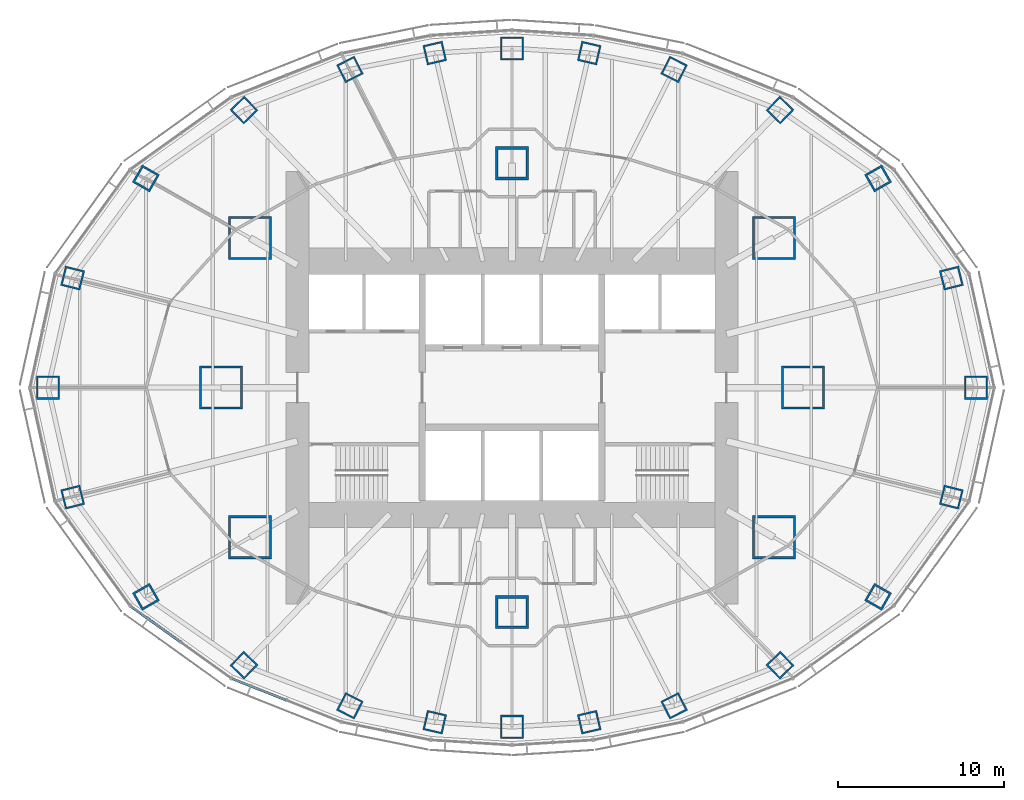
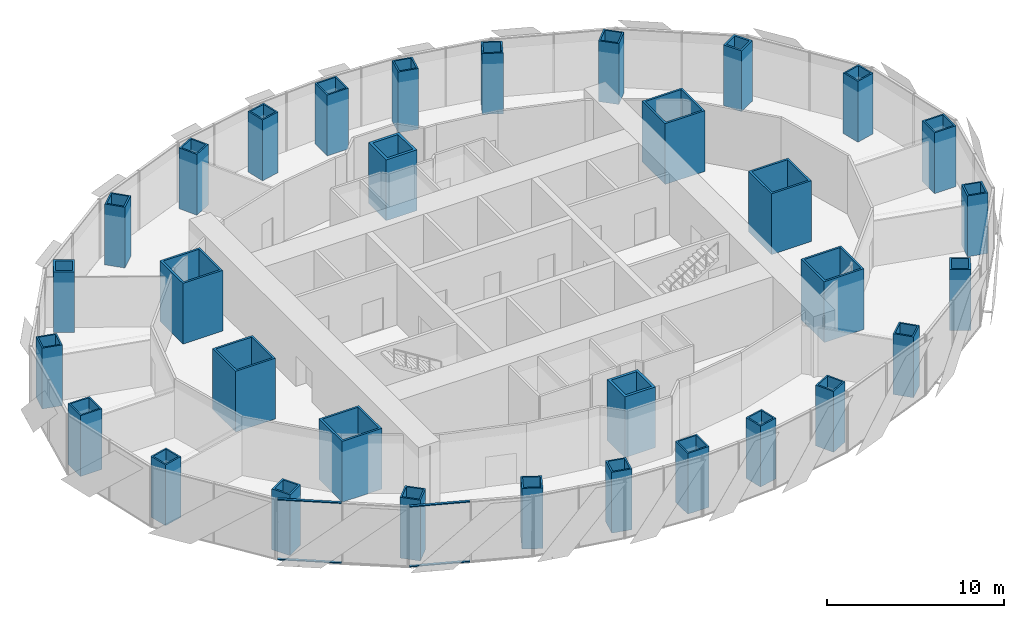
# One storey, part 1 of 17: 32 columns, 4 members, 2 elements without a shape of their own.
"""IFC4 building model written with IfcOpenShell, lengths in metres."""

from ifc_helpers import new_model, si_unit, direction, frame, origin, origin_2d, place, context, subcontext, project, spatial, rectangle, hollow_rectangle, extrude, material, material_profile, profile_set, type_object, element, aggregate, save


model = new_model("IFC4")

# Units and contexts
model_context = context("Model", 3, precision=1e-05, world=origin(), true_north=direction((0.0, 1.0)))
body_context = subcontext(model_context, "Body", "Model", "MODEL_VIEW")
ifc_project = project(units=[si_unit("LENGTHUNIT", "METRE"), si_unit("AREAUNIT", "SQUARE_METRE"), si_unit("VOLUMEUNIT", "CUBIC_METRE"), si_unit("PLANEANGLEUNIT", "RADIAN"), si_unit("MASSUNIT", "GRAM", prefix="KILO")], contexts=[model_context])

# Site, building, storey
site_placement = place(None, origin())
site = spatial("IfcSite", under=ifc_project, at=site_placement, CompositionType="ELEMENT")
building_placement = place(site_placement, origin())
building = spatial("IfcBuilding", under=site, at=building_placement, Name="Lantaw Convention Tower", CompositionType="ELEMENT")
storey_placement = place(building_placement, frame((0.0, 0.0, 125.800048828125)))
storey = spatial("IfcBuildingStorey", under=building, at=storey_placement, Name="L29", CompositionType="ELEMENT", Elevation=125.800048828125)

# Columns
ifc_material_1 = material(Name="Steel EN 10025-3 S460N", Category="steel")
ifc_material_profile_1 = material_profile(ifc_material_1, hollow_rectangle(XDim=2.0, YDim=2.0, WallThickness=0.169921875, at=origin_2d()), Name="BOX2000X170")
ifc_material_2 = material(Name="Concrete C60/75", Category="concrete")
ifc_material_profile_2 = material_profile(ifc_material_2, rectangle(XDim=1.659912109375, YDim=1.659912109375, at=origin_2d()), Name="Concrete fill of BOX2000X170")
ifc_profile_set_1 = profile_set([ifc_material_profile_1, ifc_material_profile_2], Name="Steel EN 10025-3 S460N")
column_type_1 = type_object("IfcColumnType", Name="Column MC BOX2000X170", PredefinedType="COLUMN", material=ifc_profile_set_1)
for number, where, z_axis, x_axis, name in (
    (1, (0.0, 13.5, 0.0), (0.0, 0.0, 1.0), (1.0, 0.0, 0.0), "Mega column M3"),
    (2, (0.0, -13.5, 0.0), (0.0, 0.0, 1.0), (1.0, 0.0, 0.0), "Mega column M7"),
):
    element("IfcColumn", number, at=place(storey_placement, frame(where, z_axis=z_axis, x_axis=x_axis)), inside=storey, type_object=column_type_1, Name=name, PredefinedType="COLUMN", context=body_context, shape_type="SweptSolid", body=[
        extrude(hollow_rectangle(XDim=2.0, YDim=2.0, WallThickness=0.169921875, at=origin_2d()), origin(), (0.0, 0.0, 1.0), 4.199951171875),
    ])
ifc_material_profile_3 = material_profile(ifc_material_1, hollow_rectangle(XDim=2.60009765625, YDim=2.60009765625, WallThickness=0.1298828125, at=origin_2d()), Name="BOX2600X130")
ifc_material_profile_4 = material_profile(ifc_material_2, rectangle(XDim=2.340087890625, YDim=2.340087890625, at=origin_2d()), Name="Concrete fill of BOX2600X130")
ifc_profile_set_2 = profile_set([ifc_material_profile_3, ifc_material_profile_4], Name="Steel EN 10025-3 S460N")
column_type_2 = type_object("IfcColumnType", Name="Column MC BOX2600X130", PredefinedType="COLUMN", material=ifc_profile_set_2)
for number, where, z_axis, x_axis, name in (
    (3, (17.5, 0.0, 0.0), (0.0, 0.0, 1.0), (1.0, 0.0, 0.0), "Mega column M1"),
    (4, (15.75, 9.0, 0.0), (0.0, 0.0, 1.0), (1.0, 0.0, 0.0), "Mega column M2"),
    (5, (-15.75, 9.0, 0.0), (0.0, 0.0, 1.0), (1.0, 0.0, 0.0), "Mega column M4"),
    (6, (-17.5, 0.0, 0.0), (0.0, 0.0, 1.0), (1.0, 0.0, 0.0), "Mega column M5"),
    (7, (-15.75, -9.0, 0.0), (0.0, 0.0, 1.0), (1.0, 0.0, 0.0), "Mega column M6"),
    (8, (15.75, -9.0, 0.0), (0.0, 0.0, 1.0), (1.0, 0.0, 0.0), "Mega column M8"),
):
    element("IfcColumn", number, at=place(storey_placement, frame(where, z_axis=z_axis, x_axis=x_axis)), inside=storey, type_object=column_type_2, Name=name, PredefinedType="COLUMN", context=body_context, shape_type="SweptSolid", body=[
        extrude(hollow_rectangle(XDim=2.60009765625, YDim=2.60009765625, WallThickness=0.1298828125, at=origin_2d()), origin(), (0.0, 0.0, 1.0), 4.199951171875),
    ])
ifc_material_profile_5 = material_profile(ifc_material_1, hollow_rectangle(XDim=1.199951171875, YDim=1.199951171875, WallThickness=0.10009765625, at=origin_2d()), Name="BOX1200X100")
ifc_material_profile_6 = material_profile(ifc_material_2, rectangle(XDim=1.0, YDim=1.0, at=origin_2d()), Name="Concrete fill of BOX1200X100")
ifc_profile_set_3 = profile_set([ifc_material_profile_5, ifc_material_profile_6], Name="Steel EN 10025-3 S460N")
column_type_3 = type_object("IfcColumnType", Name="Column PC BOX1200X100", PredefinedType="COLUMN", material=ifc_profile_set_3)
for number, where, z_axis, x_axis, name in (
    (9, (26.419921875, 6.587158203125, 0.0), (0.0, 0.0, 1.0), (0.970295726276, 0.2419218956, 0.0), "Perimeter column P2"),
    (10, (16.11767578125, 16.690185546875, 0.0), (0.0, 0.0, 1.0), (0.694658370459, 0.719339800339, 0.0), "Perimeter column P4"),
    (11, (9.74853515625, 19.1328125, 0.0), (0.0, 0.0, 1.0), (0.45399049974, 0.891006524188, 0.0), "Perimeter column P5"),
    (12, (4.64501953125, 20.1201171875, 0.0), (0.0, 0.0, 1.0), (0.224951054344, 0.974370064785, 0.0), "Perimeter column P6"),
    (13, (-4.64501953125, 20.1201171875, 0.0), (0.0, 0.0, 1.0), (0.974370064785, 0.224951054344, 0.0), "Perimeter column P8"),
    (14, (-9.74853515625, 19.1328125, 0.0), (0.0, 0.0, 1.0), (0.891006524188, 0.45399049974, 0.0), "Perimeter column P9"),
    (15, (-16.11767578125, 16.690185546875, 0.0), (0.0, 0.0, 1.0), (0.719339800339, 0.694658370459, 0.0), "Perimeter column P10"),
    (16, (-26.419921875, 6.587158203125, 0.0), (0.0, 0.0, 1.0), (0.2419218956, 0.970295726276, 0.0), "Perimeter column P12"),
    (17, (-26.419921875, -6.587158203125, 0.0), (0.0, 0.0, 1.0), (0.970295726276, 0.2419218956, 0.0), "Perimeter column P14"),
    (18, (-16.11767578125, -16.690185546875, 0.0), (0.0, 0.0, 1.0), (0.694658370459, 0.719339800339, 0.0), "Perimeter column P16"),
    (19, (-9.74853515625, -19.1328125, 0.0), (0.0, 0.0, 1.0), (0.45399049974, 0.891006524188, 0.0), "Perimeter column P17"),
    (20, (-4.64501953125, -20.1201171875, 0.0), (0.0, 0.0, 1.0), (0.224951054344, 0.974370064785, 0.0), "Perimeter column P18"),
    (21, (4.64501953125, -20.1201171875, 0.0), (0.0, 0.0, 1.0), (0.974370064785, 0.224951054344, 0.0), "Perimeter column P20"),
    (22, (9.74853515625, -19.1328125, 0.0), (0.0, 0.0, 1.0), (0.891006524188, 0.45399049974, 0.0), "Perimeter column P21"),
    (23, (16.11767578125, -16.690185546875, 0.0), (0.0, 0.0, 1.0), (0.719339800339, 0.694658370459, 0.0), "Perimeter column P22"),
    (24, (26.419921875, -6.587158203125, 0.0), (0.0, 0.0, 1.0), (0.2419218956, 0.970295726276, 0.0), "Perimeter column P24"),
):
    element("IfcColumn", number, at=place(storey_placement, frame(where, z_axis=z_axis, x_axis=x_axis)), inside=storey, type_object=column_type_3, Name=name, PredefinedType="COLUMN", context=body_context, shape_type="SweptSolid", body=[
        extrude(hollow_rectangle(XDim=1.199951171875, YDim=1.199951171875, WallThickness=0.10009765625, at=origin_2d()), origin(), (0.0, 0.0, 1.0), 4.199951171875),
    ])
ifc_material_profile_7 = material_profile(ifc_material_1, hollow_rectangle(XDim=1.199951171875, YDim=1.199951171875, WallThickness=0.1201171875, at=origin_2d()), Name="BOX1200X120")
ifc_material_profile_8 = material_profile(ifc_material_2, rectangle(XDim=0.9599609375, YDim=0.9599609375, at=origin_2d()), Name="Concrete fill of BOX1200X120")
ifc_profile_set_4 = profile_set([ifc_material_profile_7, ifc_material_profile_8], Name="Steel EN 10025-3 S460N")
column_type_4 = type_object("IfcColumnType", Name="Column PC BOX1200X120", PredefinedType="COLUMN", material=ifc_profile_set_4)
for number, where, z_axis, x_axis, name in (
    (25, (22.013916015625, 12.579345703125, 0.0), (0.0, 0.0, 1.0), (0.86824298017, 0.496139221777, 0.0), "Perimeter column P3"),
    (26, (-22.013916015625, 12.579345703125, 0.0), (0.0, 0.0, 1.0), (0.496139221777, 0.86824298017, 0.0), "Perimeter column P11"),
    (27, (-22.013916015625, -12.579345703125, 0.0), (0.0, 0.0, 1.0), (0.86824298017, 0.496139221777, 0.0), "Perimeter column P15"),
    (28, (22.013916015625, -12.579345703125, 0.0), (0.0, 0.0, 1.0), (0.496139221777, 0.86824298017, 0.0), "Perimeter column P23"),
):
    element("IfcColumn", number, at=place(storey_placement, frame(where, z_axis=z_axis, x_axis=x_axis)), inside=storey, type_object=column_type_4, Name=name, PredefinedType="COLUMN", context=body_context, shape_type="SweptSolid", body=[
        extrude(hollow_rectangle(XDim=1.199951171875, YDim=1.199951171875, WallThickness=0.1201171875, at=origin_2d()), origin(), (0.0, 0.0, 1.0), 4.199951171875),
    ])
ifc_material_profile_9 = material_profile(ifc_material_1, hollow_rectangle(XDim=1.39990234375, YDim=1.39990234375, WallThickness=0.10009765625, at=origin_2d()), Name="BOX1400X100")
ifc_material_profile_10 = material_profile(ifc_material_2, rectangle(XDim=1.199951171875, YDim=1.199951171875, at=origin_2d()), Name="Concrete fill of BOX1400X100")
ifc_profile_set_5 = profile_set([ifc_material_profile_9, ifc_material_profile_10], Name="Steel EN 10025-3 S460N")
column_type_5 = type_object("IfcColumnType", Name="Column PC BOX1400X100", PredefinedType="COLUMN", material=ifc_profile_set_5)
for number, where, z_axis, x_axis, name in (
    (29, (27.89990234375, 0.0, 0.0), (0.0, 0.0, 1.0), (1.0, 0.0, 0.0), "Perimeter column P1"),
    (30, (0.0, 20.39990234375, 0.0), (0.0, 0.0, 1.0), (1.0, 0.0, 0.0), "Perimeter column P7"),
    (31, (-27.89990234375, 0.0, 0.0), (0.0, 0.0, 1.0), (1.0, 0.0, 0.0), "Perimeter column P13"),
    (32, (0.0, -20.39990234375, 0.0), (0.0, 0.0, 1.0), (1.0, 0.0, 0.0), "Perimeter column P19"),
):
    element("IfcColumn", number, at=place(storey_placement, frame(where, z_axis=z_axis, x_axis=x_axis)), inside=storey, type_object=column_type_5, Name=name, PredefinedType="COLUMN", context=body_context, shape_type="SweptSolid", body=[
        extrude(hollow_rectangle(XDim=1.39990234375, YDim=1.39990234375, WallThickness=0.10009765625, at=origin_2d()), origin(), (0.0, 0.0, 1.0), 4.199951171875),
    ])

# Curtain wall, members
ifc_material_3 = material(Name="Aluminium framed curtain wall", Category="aluminium")
curtain_wall_type = type_object("IfcCurtainWallType", Name="Office curtain wall low rise, pale aluminium", PredefinedType="USERDEFINED", material=ifc_material_3)
curtain_wall_1_placement = place(storey_placement, origin())
curtain_wall_1 = element("IfcCurtainWall", 33, at=curtain_wall_1_placement, inside=storey, type_object=curtain_wall_type, Name="Office curtain wall low rise, pale aluminium L29", ObjectType="UNITISED CURTAIN WALL", PredefinedType="USERDEFINED")
ifc_material_4 = material(Name="Aluminium 6063-T6", Category="aluminium")
ifc_material_profile_11 = material_profile(ifc_material_4, rectangle(XDim=0.159912109375, YDim=0.06494140625, at=origin_2d()), Name="CW-O1 transom 65x160")
ifc_profile_set_6 = profile_set([ifc_material_profile_11], Name="Aluminium 6063-T6")
member_type = type_object("IfcMemberType", Name="CW-O1 transom 65x160", PredefinedType="USERDEFINED", material=ifc_profile_set_6)
member_1_placement = place(storey_placement, frame((-22.916259765625, -13.1630859375, -0.117431640625), z_axis=(0.813221785972, -0.581953887194, 0.0), x_axis=(0.581953887194, 0.813221785972, 0.0)))
member_1 = element("IfcMember", 34, at=member_1_placement, type_object=member_type, Name="CW-O1 transom 1.1", ObjectType="TRANSOM", PredefinedType="USERDEFINED", context=body_context, shape_type="SweptSolid", body=[
    extrude(rectangle(XDim=0.159912109375, YDim=0.06494140625, at=origin_2d()), origin(), (0.0, 0.0, 1.0), 3.645263671875),
])
member_2_placement = place(storey_placement, frame((-22.916259765625, -13.1630859375, 4.017333984375), z_axis=(0.813221785972, -0.581953887194, 0.0), x_axis=(0.581953887194, 0.813221785972, 0.0)))
member_2 = element("IfcMember", 35, at=member_2_placement, type_object=member_type, Name="CW-O1 transom 1.2", ObjectType="TRANSOM", PredefinedType="USERDEFINED", context=body_context, shape_type="SweptSolid", body=[
    extrude(rectangle(XDim=0.159912109375, YDim=0.06494140625, at=origin_2d()), origin(), (0.0, 0.0, 1.0), 3.645263671875),
])
aggregate(curtain_wall_1, [member_1, member_2])

curtain_wall_2_placement = place(storey_placement, origin())
curtain_wall_2 = element("IfcCurtainWall", 36, at=curtain_wall_2_placement, inside=storey, type_object=curtain_wall_type, Name="Office curtain wall low rise, pale aluminium L29", ObjectType="UNITISED CURTAIN WALL", PredefinedType="USERDEFINED")
member_3_placement = place(storey_placement, frame((-16.8212890625, -17.505615234375, -0.117431640625), z_axis=(0.929564188507, -0.368660303592, 0.0), x_axis=(0.368660303592, 0.929564188507, 0.0)))
member_3 = element("IfcMember", 37, at=member_3_placement, type_object=member_type, Name="CW-O1 transom 1.1", ObjectType="TRANSOM", PredefinedType="USERDEFINED", context=body_context, shape_type="SweptSolid", body=[
    extrude(rectangle(XDim=0.159912109375, YDim=0.06494140625, at=origin_2d()), origin(), (0.0, 0.0, 1.0), 3.470703125),
])
member_4_placement = place(storey_placement, frame((-16.8212890625, -17.505615234375, 4.017333984375), z_axis=(0.929564188507, -0.368660303592, 0.0), x_axis=(0.368660303592, 0.929564188507, 0.0)))
member_4 = element("IfcMember", 38, at=member_4_placement, type_object=member_type, Name="CW-O1 transom 1.2", ObjectType="TRANSOM", PredefinedType="USERDEFINED", context=body_context, shape_type="SweptSolid", body=[
    extrude(rectangle(XDim=0.159912109375, YDim=0.06494140625, at=origin_2d()), origin(), (0.0, 0.0, 1.0), 3.470703125),
])
aggregate(curtain_wall_2, [member_3, member_4])

save(model, "model.ifc")
